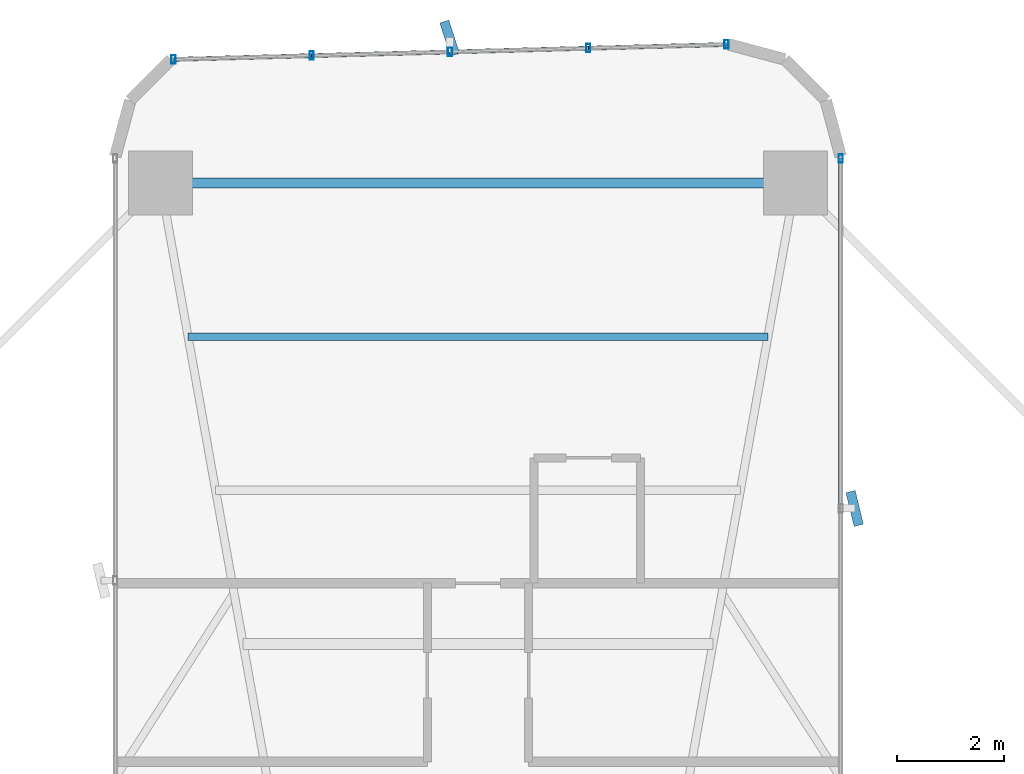
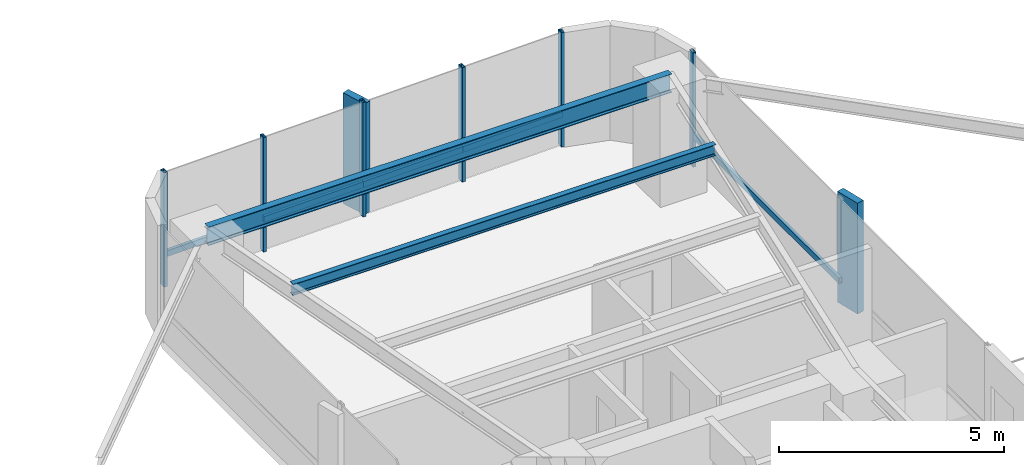
# One storey, part 19 of 25: 13 members, 2 beams, 2 elements without a shape of their own.
"""IFC4 building model written with IfcOpenShell, lengths in metres."""

from ifc_helpers import new_model, si_unit, direction, frame, origin, origin_2d, place, context, subcontext, project, spatial, rectangle, hollow_rectangle, i_section, extrude, source, transform, mapped, material, material_profile, profile_set, type_object, element, aggregate, save


model = new_model("IFC4")

# Units and contexts
model_context = context("Model", 3, precision=1e-05, world=origin(), true_north=direction((0.0, 1.0)))
body_context = subcontext(model_context, "Body", "Model", "MODEL_VIEW")
ifc_project = project(units=[si_unit("LENGTHUNIT", "METRE"), si_unit("AREAUNIT", "SQUARE_METRE"), si_unit("VOLUMEUNIT", "CUBIC_METRE"), si_unit("PLANEANGLEUNIT", "RADIAN"), si_unit("MASSUNIT", "GRAM", prefix="KILO")], contexts=[model_context])

# Site, building, storey
site_placement = place(None, origin())
site = spatial("IfcSite", under=ifc_project, at=site_placement, CompositionType="ELEMENT")
building_placement = place(site_placement, origin())
building = spatial("IfcBuilding", under=site, at=building_placement, Name="Sahyath Konkavel Grand Hotel", CompositionType="ELEMENT")
storey_placement = place(building_placement, frame((0.0, 0.0, 39.85009765625)))
storey = spatial("IfcBuildingStorey", under=building, at=storey_placement, Name="L10", CompositionType="ELEMENT", Elevation=39.85009765625)

# Beams
ifc_material_1 = material(Name="Steel E350", Category="steel")
ifc_material_profile_1 = material_profile(ifc_material_1, i_section(OverallWidth=0.179931640625, OverallDepth=0.5, WebThickness=0.01025390625, FlangeThickness=0.01708984375, FilletRadius=0.01708984375, at=origin_2d()), Name="ISMB 500")
ifc_profile_set_1 = profile_set([ifc_material_profile_1], Name="Steel E350")
beam_type_1 = type_object("IfcBeamType", Name="BM-ISMB500", PredefinedType="BEAM", material=ifc_profile_set_1)
shared_shape_1 = source(origin(), body_context, "Body", "SweptSolid", [
    extrude(i_section(OverallWidth=0.179931640625, OverallDepth=0.5, WebThickness=0.01025390625, FlangeThickness=0.01708984375, FilletRadius=0.01708984375, at=origin_2d()), origin(), (0.0, 0.0, 1.0), 11.89990234375),
])
beam_1_placement = place(storey_placement, frame((5.949951171875, 22.199951171875, 2.85986328125), z_axis=(-1.0, 0.0, 0.0), x_axis=(0.0, -1.0, 0.0)))
element("IfcBeam", 1, at=beam_1_placement, inside=storey, type_object=beam_type_1, Name="L10 Wing Tip Edge Beam N", PredefinedType="BEAM", context=body_context, shape_type="MappedRepresentation", body=[
    mapped(shared_shape_1, transform((0.0, 0.0, 0.0), scale=1.0)),
])
ifc_material_profile_2 = material_profile(ifc_material_1, i_section(OverallWidth=0.139892578125, OverallDepth=0.300048828125, WebThickness=0.0078125, FlangeThickness=0.01318359375, FilletRadius=0.013916015625, at=origin_2d()), Name="ISMB 300")
ifc_profile_set_2 = profile_set([ifc_material_profile_2], Name="Steel E350")
beam_type_2 = type_object("IfcBeamType", Name="BM-ISMB300", PredefinedType="BEAM", material=ifc_profile_set_2)
shared_shape_2 = source(origin(), body_context, "Body", "SweptSolid", [
    extrude(i_section(OverallWidth=0.139892578125, OverallDepth=0.300048828125, WebThickness=0.0078125, FlangeThickness=0.01318359375, FilletRadius=0.013916015625, at=origin_2d()), origin(), (0.0, 0.0, 1.0), 10.8681640625),
])
beam_2_placement = place(storey_placement, frame((5.43408203125, 19.320068359375, 2.9599609375), z_axis=(-1.0, 0.0, 0.0), x_axis=(0.0, -1.0, 0.0)))
element("IfcBeam", 2, at=beam_2_placement, inside=storey, type_object=beam_type_2, Name="L10 Secondary Floor Beam N-3", PredefinedType="BEAM", context=body_context, shape_type="MappedRepresentation", body=[
    mapped(shared_shape_2, transform((0.0, 0.0, 0.0), scale=1.0)),
])

# Curtain wall, member
ifc_material_2 = material(Name="Anodised Bronze Aluminium & Low-E Glazing", Category="aluminium")
curtain_wall_type = type_object("IfcCurtainWallType", Name="CW-ZONE1", PredefinedType="NOTDEFINED", material=ifc_material_2)
curtain_wall_1_placement = place(storey_placement, origin())
curtain_wall_1 = element("IfcCurtainWall", 3, at=curtain_wall_1_placement, inside=storey, type_object=curtain_wall_type, Name="L10 Unitised Curtain Wall F8", PredefinedType="NOTDEFINED")
ifc_material_3 = material(Name="Anodised Bronze Aluminium", Category="aluminium")
ifc_material_profile_3 = material_profile(ifc_material_3, hollow_rectangle(XDim=0.080078125, YDim=0.159912109375, WallThickness=0.006103515625, at=origin_2d()), Name="RHS 160x80x6")
ifc_profile_set_3 = profile_set([ifc_material_profile_3], Name="Anodised Bronze Aluminium")
member_type_1 = type_object("IfcMemberType", Name="CW-MUL-160", PredefinedType="MULLION", material=ifc_profile_set_3)
shared_shape_3 = source(origin(), body_context, "Body", "SweptSolid", [
    extrude(hollow_rectangle(XDim=0.080078125, YDim=0.159912109375, WallThickness=0.006103515625, at=origin_2d()), origin(), (0.0, 0.0, 1.0), 3.10986328125),
])
member_1_placement = place(storey_placement, frame((6.800048828125, 22.659912109375, 0.0), z_axis=(0.0, 0.0, 1.0), x_axis=(1.0, 0.0, 0.0)))
member_1 = element("IfcMember", 4, at=member_1_placement, type_object=member_type_1, Name="L10 Curtain Wall Mullion F8-2", PredefinedType="MULLION", context=body_context, shape_type="MappedRepresentation", body=[
    mapped(shared_shape_3, transform((0.0, 0.0, 0.0), scale=1.0)),
])

# Curtain wall, members
curtain_wall_2_placement = place(storey_placement, origin())
curtain_wall_2 = element("IfcCurtainWall", 5, at=curtain_wall_2_placement, inside=storey, type_object=curtain_wall_type, Name="L10 Unitised Curtain Wall F12", PredefinedType="NOTDEFINED")
member_2_placement = place(storey_placement, frame((4.659912109375, 24.798828125, 0.0), z_axis=(0.0, 0.0, 1.0), x_axis=(1.0, 0.0, 0.0)))
member_2 = element("IfcMember", 6, at=member_2_placement, type_object=member_type_1, Name="L10 Curtain Wall Mullion F12-0", PredefinedType="MULLION", context=body_context, shape_type="MappedRepresentation", body=[
    mapped(shared_shape_3, transform((0.0, 0.0, 0.0), scale=1.0)),
])
member_3_placement = place(storey_placement, frame((2.0673828125, 24.72900390625, 0.0), z_axis=(0.0, 0.0, 1.0), x_axis=(1.0, 0.0, 0.0)))
member_3 = element("IfcMember", 7, at=member_3_placement, type_object=member_type_1, Name="L10 Curtain Wall Mullion F12-1", PredefinedType="MULLION", context=body_context, shape_type="MappedRepresentation", body=[
    mapped(shared_shape_3, transform((0.0, 0.0, 0.0), scale=1.0)),
])
member_4_placement = place(storey_placement, frame((-0.52490234375, 24.6591796875, 0.0), z_axis=(0.0, 0.0, 1.0), x_axis=(1.0, 0.0, 0.0)))
member_4 = element("IfcMember", 8, at=member_4_placement, type_object=member_type_1, Name="L10 Curtain Wall Mullion F12-2", PredefinedType="MULLION", context=body_context, shape_type="MappedRepresentation", body=[
    mapped(shared_shape_3, transform((0.0, 0.0, 0.0), scale=1.0)),
])
member_5_placement = place(storey_placement, frame((-3.117431640625, 24.589599609375, 0.0), z_axis=(0.0, 0.0, 1.0), x_axis=(1.0, 0.0, 0.0)))
member_5 = element("IfcMember", 9, at=member_5_placement, type_object=member_type_1, Name="L10 Curtain Wall Mullion F12-3", PredefinedType="MULLION", context=body_context, shape_type="MappedRepresentation", body=[
    mapped(shared_shape_3, transform((0.0, 0.0, 0.0), scale=1.0)),
])
member_6_placement = place(storey_placement, frame((-5.7099609375, 24.519775390625, 0.0), z_axis=(0.0, 0.0, 1.0), x_axis=(1.0, 0.0, 0.0)))
member_6 = element("IfcMember", 10, at=member_6_placement, type_object=member_type_1, Name="L10 Curtain Wall Mullion F12-4", PredefinedType="MULLION", context=body_context, shape_type="MappedRepresentation", body=[
    mapped(shared_shape_3, transform((0.0, 0.0, 0.0), scale=1.0)),
])

# Member
ifc_material_4 = material(Name="Warm Buff Sandstone Cladding on Concrete C50/60", Category="masonry")
ifc_material_profile_4 = material_profile(ifc_material_4, rectangle(XDim=0.179931640625, YDim=0.64990234375, at=origin_2d()), Name="FIN 180x650")
ifc_profile_set_4 = profile_set([ifc_material_profile_4], Name="Warm Buff Sandstone Cladding on Concrete C50/60")
member_type_2 = type_object("IfcMemberType", Name="FIN-SANDSTONE-650", PredefinedType="MULLION", material=ifc_profile_set_4)
shared_shape_4 = source(origin(), body_context, "Body", "SweptSolid", [
    extrude(rectangle(XDim=0.179931640625, YDim=0.64990234375, at=origin_2d()), origin(), (0.0, 0.0, 1.0), 3.010009765625),
])
member_7_placement = place(storey_placement, frame((7.06005859375, 16.10009765625, 0.0498046875), z_axis=(0.0, 0.0, 1.0), x_axis=(0.971590441254, 0.236668575149, 0.0)))
member_7 = element("IfcMember", 11, at=member_7_placement, type_object=member_type_2, Name="L10 Sandstone Vertical Solar Fin FIN F8-1", PredefinedType="MULLION", context=body_context, shape_type="MappedRepresentation", body=[
    mapped(shared_shape_4, transform((0.0, 0.0, 0.0), scale=1.0)),
])

member_8_placement = place(storey_placement, frame((-0.531982421875, 24.919189453125, 0.0498046875), z_axis=(0.0, 0.0, 1.0), x_axis=(0.951379596601, 0.308020881065, 0.0)))
member_8 = element("IfcMember", 12, at=member_8_placement, type_object=member_type_2, Name="L10 Sandstone Vertical Solar Fin FIN F12-2", PredefinedType="MULLION", context=body_context, shape_type="MappedRepresentation", body=[
    mapped(shared_shape_4, transform((0.0, 0.0, 0.0), scale=1.0)),
])

ifc_material_profile_5 = material_profile(ifc_material_3, hollow_rectangle(XDim=0.080078125, YDim=0.159912109375, WallThickness=0.006103515625, at=origin_2d()), Name="RHS 160x80x6")
ifc_profile_set_5 = profile_set([ifc_material_profile_5], Name="Anodised Bronze Aluminium")
member_type_3 = type_object("IfcMemberType", Name="CW-TRN-160", PredefinedType="USERDEFINED", material=ifc_profile_set_5)
shared_shape_5 = source(origin(), body_context, "Body", "SweptSolid", [
    extrude(hollow_rectangle(XDim=0.080078125, YDim=0.159912109375, WallThickness=0.006103515625, at=origin_2d()), origin(), (0.0, 0.0, 1.0), 2.593505859375),
])
member_9_placement = place(storey_placement, frame((4.659912109375, 24.798828125, 0.849853515625), z_axis=(-0.999637507825, -0.026923093252, 0.0), x_axis=(0.026923093252, -0.999637507825, 0.0)))
member_9 = element("IfcMember", 13, at=member_9_placement, type_object=member_type_3, Name="L10 Curtain Wall Transom F12-0-spandrel", ObjectType="TRANSOM", PredefinedType="USERDEFINED", context=body_context, shape_type="MappedRepresentation", body=[
    mapped(shared_shape_5, transform((0.0, 0.0, 0.0), scale=1.0)),
])

member_10_placement = place(storey_placement, frame((-0.52490234375, 24.6591796875, 0.849853515625), z_axis=(-0.999640036937, -0.02682902444, 0.0), x_axis=(0.02682902444, -0.999640036937, 0.0)))
member_10 = element("IfcMember", 14, at=member_10_placement, type_object=member_type_3, Name="L10 Curtain Wall Transom F12-2-spandrel", ObjectType="TRANSOM", PredefinedType="USERDEFINED", context=body_context, shape_type="MappedRepresentation", body=[
    mapped(shared_shape_5, transform((0.0, 0.0, 0.0), scale=1.0)),
])

member_11_placement = place(storey_placement, frame((-3.117431640625, 24.589599609375, 0.849853515625), z_axis=(-0.999637507825, -0.026923093252, 0.0), x_axis=(0.026923093252, -0.999637507825, 0.0)))
member_11 = element("IfcMember", 15, at=member_11_placement, type_object=member_type_3, Name="L10 Curtain Wall Transom F12-3-spandrel", ObjectType="TRANSOM", PredefinedType="USERDEFINED", context=body_context, shape_type="MappedRepresentation", body=[
    mapped(shared_shape_5, transform((0.0, 0.0, 0.0), scale=1.0)),
])

shared_shape_6 = source(origin(), body_context, "Body", "SweptSolid", [
    extrude(hollow_rectangle(XDim=0.080078125, YDim=0.159912109375, WallThickness=0.006103515625, at=origin_2d()), origin(), (0.0, 0.0, 1.0), 2.59326171875),
])
member_12_placement = place(storey_placement, frame((2.0673828125, 24.72900390625, 0.849853515625), z_axis=(-0.99963743958, -0.026925627022, 0.0), x_axis=(0.026925627022, -0.99963743958, 0.0)))
member_12 = element("IfcMember", 16, at=member_12_placement, type_object=member_type_3, Name="L10 Curtain Wall Transom F12-1-spandrel", ObjectType="TRANSOM", PredefinedType="USERDEFINED", context=body_context, shape_type="MappedRepresentation", body=[
    mapped(shared_shape_6, transform((0.0, 0.0, 0.0), scale=1.0)),
])

aggregate(curtain_wall_2, [member_2, member_3, member_4, member_8, member_5, member_6, member_9, member_12, member_10, member_11])

shared_shape_7 = source(origin(), body_context, "Body", "SweptSolid", [
    extrude(hollow_rectangle(XDim=0.080078125, YDim=0.159912109375, WallThickness=0.006103515625, at=origin_2d()), origin(), (0.0, 0.0, 1.0), 6.559814453125),
])
member_13_placement = place(storey_placement, frame((6.800048828125, 16.10009765625, 0.849853515625), z_axis=(0.0, 1.0, 0.0), x_axis=(-1.0, 0.0, 0.0)))
member_13 = element("IfcMember", 17, at=member_13_placement, type_object=member_type_3, Name="L10 Curtain Wall Transom F8-1-spandrel", ObjectType="TRANSOM", PredefinedType="USERDEFINED", context=body_context, shape_type="MappedRepresentation", body=[
    mapped(shared_shape_7, transform((0.0, 0.0, 0.0), scale=1.0)),
])

aggregate(curtain_wall_1, [member_7, member_1, member_13])

save(model, "model.ifc")
